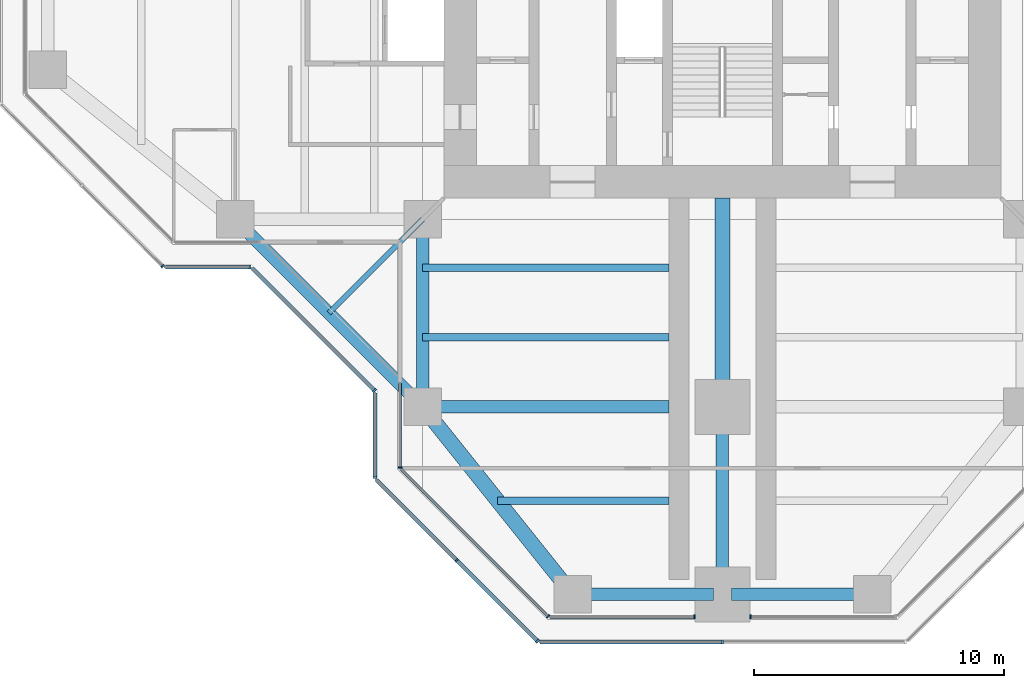
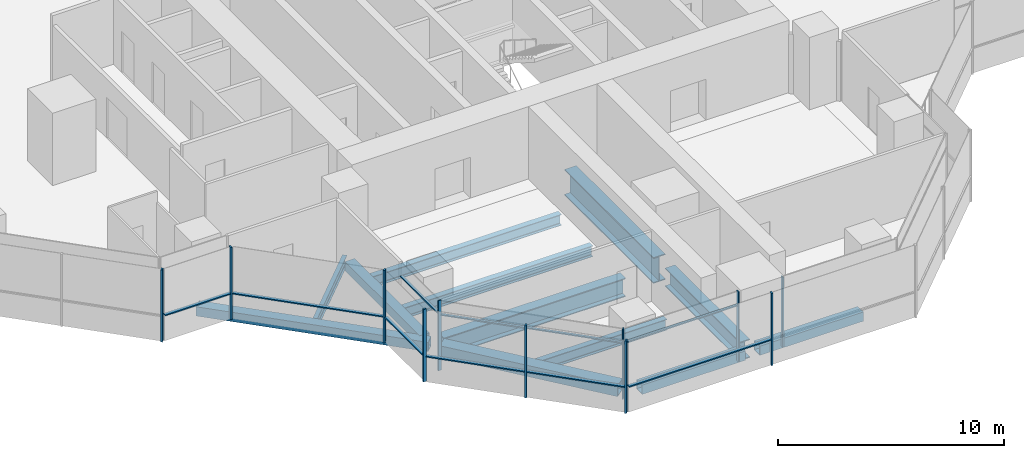
# One storey, part 2 of 17: 20 members, 12 beams, 10 elements without a shape of their own.
"""IFC4 building model written with IfcOpenShell, lengths in metres."""

from ifc_helpers import new_model, si_unit, direction, frame, origin, origin_2d, place, context, subcontext, project, spatial, rectangle, hollow_rectangle, i_section, extrude, material, material_profile, profile_set, type_object, element, aggregate, save


model = new_model("IFC4")

# Units and contexts
model_context = context("Model", 3, precision=1e-05, world=origin(), true_north=direction((0.0, 1.0)))
body_context = subcontext(model_context, "Body", "Model", "MODEL_VIEW")
ifc_project = project(units=[si_unit("LENGTHUNIT", "METRE"), si_unit("AREAUNIT", "SQUARE_METRE"), si_unit("VOLUMEUNIT", "CUBIC_METRE"), si_unit("PLANEANGLEUNIT", "RADIAN"), si_unit("MASSUNIT", "GRAM", prefix="KILO")], contexts=[model_context])

# Site, building, storey
site_placement = place(None, origin())
site = spatial("IfcSite", under=ifc_project, at=site_placement, CompositionType="ELEMENT")
building_placement = place(site_placement, origin())
building = spatial("IfcBuilding", under=site, at=building_placement, Name="Mizan Broadcast Tower", CompositionType="ELEMENT")
storey_placement = place(building_placement, frame((0.0, 0.0, 212.699951171875)))
storey = spatial("IfcBuildingStorey", under=building, at=storey_placement, Name="L49", CompositionType="ELEMENT", Elevation=212.699951171875)

# Beams
ifc_material_1 = material(Name="Steel S355", Category="steel")
ifc_material_profile_1 = material_profile(ifc_material_1, hollow_rectangle(XDim=0.5, YDim=0.5, WallThickness=0.030029296875, at=origin_2d()), Name="BOX 500x500x30")
ifc_profile_set_1 = profile_set([ifc_material_profile_1], Name="Steel S355")
beam_type_1 = type_object("IfcBeamType", Name="EDGE BEAM BOX 500x500x30", PredefinedType="SPANDREL", material=ifc_profile_set_1)
beam_1_placement = place(storey_placement, frame((-12.0, -12.449951171875, -0.3798828125), z_axis=(0.0, -1.0, 0.0), x_axis=(1.0, 0.0, 0.0)))
element("IfcBeam", 1, at=beam_1_placement, inside=storey, type_object=beam_type_1, Name="Edge beam BOX 500x500x30 L49 south arm", PredefinedType="SPANDREL", context=body_context, shape_type="SweptSolid", body=[
    extrude(hollow_rectangle(XDim=0.5, YDim=0.5, WallThickness=0.030029296875, at=origin_2d()), origin(), (0.0, 0.0, 1.0), 6.60009765625),
])
for number, where, z_axis, x_axis, name in (
    (2, (-5.639892578125, -27.0, -0.3798828125), (1.0, 0.0, 0.0), (0.0, 1.0, 0.0), "Edge beam BOX 500x500x30 L49 south arm"),
    (3, (5.639892578125, -27.0, -0.3798828125), (-1.0, 0.0, 0.0), (0.0, -1.0, 0.0), "Edge beam BOX 500x500x30 L49 south arm"),
):
    element("IfcBeam", number, at=place(storey_placement, frame(where, z_axis=z_axis, x_axis=x_axis)), inside=storey, type_object=beam_type_1, Name=name, PredefinedType="SPANDREL", context=body_context, shape_type="SweptSolid", body=[
        extrude(hollow_rectangle(XDim=0.5, YDim=0.5, WallThickness=0.030029296875, at=origin_2d()), origin(), (0.0, 0.0, 1.0), 5.27978515625),
    ])
beam_2_placement = place(storey_placement, frame((-19.5, -12.0, -0.3798828125), z_axis=(0.707106781187, -0.707106781187, 0.0), x_axis=(0.707106781187, 0.707106781187, 0.0)))
element("IfcBeam", 4, at=beam_2_placement, inside=storey, type_object=beam_type_1, Name="Winter garden edge beam L49 W", PredefinedType="SPANDREL", context=body_context, shape_type="SweptSolid", body=[
    extrude(hollow_rectangle(XDim=0.5, YDim=0.5, WallThickness=0.030029296875, at=origin_2d()), origin(), (0.0, 0.0, 1.0), 10.606689453125),
])
ifc_material_2 = material(Name="Steel S355", Category="steel")
ifc_material_profile_2 = material_profile(ifc_material_2, hollow_rectangle(XDim=0.60009765625, YDim=0.60009765625, WallThickness=0.030029296875, at=origin_2d()), Name="BOX 600x600x30")
ifc_profile_set_2 = profile_set([ifc_material_profile_2], Name="Steel S355")
beam_type_2 = type_object("IfcBeamType", Name="EDGE BEAM BOX 600x600x30", PredefinedType="SPANDREL", material=ifc_profile_set_2)
beam_3_placement = place(storey_placement, frame((-11.639892578125, -19.949951171875, -0.429931640625), z_axis=(0.624673911726, -0.780885717636, 0.0), x_axis=(0.780885717636, 0.624673911726, 0.0)))
element("IfcBeam", 5, at=beam_3_placement, inside=storey, type_object=beam_type_2, Name="Edge beam BOX 600x600x30 L49 south arm", PredefinedType="SPANDREL", context=body_context, shape_type="SweptSolid", body=[
    extrude(hollow_rectangle(XDim=0.60009765625, YDim=0.60009765625, WallThickness=0.030029296875, at=origin_2d()), origin(), (0.0, 0.0, 1.0), 8.4521484375),
])
ifc_material_3 = material(Name="Steel S460", Category="steel")
ifc_material_profile_3 = material_profile(ifc_material_3, i_section(OverallWidth=0.5, OverallDepth=1.0, WebThickness=0.02490234375, FlangeThickness=0.050048828125, at=origin_2d()), Name="WPG 1000x500")
ifc_profile_set_3 = profile_set([ifc_material_profile_3], Name="Steel S460")
beam_type_3 = type_object("IfcBeamType", Name="GIRDER WPG 1000x500", PredefinedType="BEAM", material=ifc_profile_set_3)
beam_4_placement = place(storey_placement, frame((0.0, -19.949951171875, -0.6298828125), z_axis=(0.0, -1.0, 0.0), x_axis=(1.0, 0.0, 0.0)))
element("IfcBeam", 6, at=beam_4_placement, inside=storey, type_object=beam_type_3, Name="Girder WPG 1000x500 L49 south arm", PredefinedType="BEAM", context=body_context, shape_type="SweptSolid", body=[
    extrude(i_section(OverallWidth=0.5, OverallDepth=1.0, WebThickness=0.02490234375, FlangeThickness=0.050048828125, at=origin_2d()), origin(), (0.0, 0.0, 1.0), 6.60009765625),
])
beam_5_placement = place(storey_placement, frame((-11.408935546875, -19.5, -0.6298828125), z_axis=(1.0, 0.0, 0.0), x_axis=(0.0, 1.0, 0.0)))
element("IfcBeam", 7, at=beam_5_placement, inside=storey, type_object=beam_type_3, Name="Girder WPG 1000x500 L49 south arm", PredefinedType="BEAM", context=body_context, shape_type="SweptSolid", body=[
    extrude(i_section(OverallWidth=0.5, OverallDepth=1.0, WebThickness=0.02490234375, FlangeThickness=0.050048828125, at=origin_2d()), origin(), (0.0, 0.0, 1.0), 9.259033203125),
])
ifc_material_4 = material(Name="Steel S460", Category="steel")
ifc_material_profile_4 = material_profile(ifc_material_4, i_section(OverallWidth=0.60009765625, OverallDepth=1.39990234375, WebThickness=0.02490234375, FlangeThickness=0.06005859375, at=origin_2d()), Name="WPG 1400x600")
ifc_profile_set_4 = profile_set([ifc_material_profile_4], Name="Steel S460")
beam_type_4 = type_object("IfcBeamType", Name="GIRDER WPG 1400x600", PredefinedType="BEAM", material=ifc_profile_set_4)
beam_6_placement = place(storey_placement, frame((0.0, -11.14990234375, -0.829833984375), z_axis=(0.0, -1.0, 0.0), x_axis=(1.0, 0.0, 0.0)))
element("IfcBeam", 8, at=beam_6_placement, inside=storey, type_object=beam_type_4, Name="Girder WPG 1400x600 L49 south arm", PredefinedType="BEAM", context=body_context, shape_type="SweptSolid", body=[
    extrude(i_section(OverallWidth=0.60009765625, OverallDepth=1.39990234375, WebThickness=0.02490234375, FlangeThickness=0.06005859375, at=origin_2d()), origin(), (0.0, 0.0, 1.0), 7.84912109375),
])

# Curtain wall, member
ifc_material_5 = material(Name="Aluminium framed glazing", Category="aluminium")
curtain_wall_type_1 = type_object("IfcCurtainWallType", Name="INNER SKIN HIGH ZONE", PredefinedType="USERDEFINED", material=ifc_material_5)
curtain_wall_1_placement = place(storey_placement, origin())
curtain_wall_1 = element("IfcCurtainWall", 9, at=curtain_wall_1_placement, inside=storey, type_object=curtain_wall_type_1, Name="Inner skin high zone L49 S side", ObjectType="INNER SKIN HIGH ZONE", PredefinedType="USERDEFINED")
ifc_material_6 = material(Name="Aluminium, pale anodised", Category="aluminium")
ifc_material_profile_5 = material_profile(ifc_material_6, rectangle(XDim=0.159912109375, YDim=0.06005859375, at=origin_2d()), Name="MULLION 160x60")
ifc_profile_set_5 = profile_set([ifc_material_profile_5], Name="Aluminium, pale anodised")
member_type_1 = type_object("IfcMemberType", Name="INNER SKIN MULLION 60x160", PredefinedType="MULLION", material=ifc_profile_set_5)
member_1_placement = place(storey_placement, frame((-12.89990234375, -21.928466796875, 0.0), z_axis=(0.0, 0.0, 1.0), x_axis=(1.0, 0.0, 0.0)))
member_1 = element("IfcMember", 10, at=member_1_placement, type_object=member_type_1, Name="Inner skin high zone L49 S side mullion 2", PredefinedType="MULLION", context=body_context, shape_type="SweptSolid", body=[
    extrude(rectangle(XDim=0.159912109375, YDim=0.06005859375, at=origin_2d()), origin(), (0.0, 0.0, 1.0), 3.77001953125),
])

curtain_wall_2_placement = place(storey_placement, origin())
curtain_wall_2 = element("IfcCurtainWall", 11, at=curtain_wall_2_placement, inside=storey, type_object=curtain_wall_type_1, Name="Inner skin high zone L49 S chamfer", ObjectType="INNER SKIN HIGH ZONE", PredefinedType="USERDEFINED")
member_2_placement = place(storey_placement, frame((-6.979736328125, -27.87890625, 0.0), z_axis=(0.0, 0.0, 1.0), x_axis=(0.707106781187, 0.707106781187, 0.0)))
member_2 = element("IfcMember", 12, at=member_2_placement, type_object=member_type_1, Name="Inner skin high zone L49 S chamfer mullion 2", PredefinedType="MULLION", context=body_context, shape_type="SweptSolid", body=[
    extrude(rectangle(XDim=0.159912109375, YDim=0.06005859375, at=origin_2d()), origin(), (0.0, 0.0, 1.0), 3.77001953125),
])

curtain_wall_3_placement = place(storey_placement, origin())
curtain_wall_3 = element("IfcCurtainWall", 13, at=curtain_wall_3_placement, inside=storey, type_object=curtain_wall_type_1, Name="Inner skin high zone L49 S end", ObjectType="INNER SKIN HIGH ZONE", PredefinedType="USERDEFINED")
member_3_placement = place(storey_placement, frame((-1.1298828125, -27.89990234375, 0.0), z_axis=(0.0, 0.0, 1.0), x_axis=(0.0, 1.0, 0.0)))
member_3 = element("IfcMember", 14, at=member_3_placement, type_object=member_type_1, Name="Inner skin high zone L49 S end mullion 2", PredefinedType="MULLION", context=body_context, shape_type="SweptSolid", body=[
    extrude(rectangle(XDim=0.159912109375, YDim=0.06005859375, at=origin_2d()), origin(), (0.0, 0.0, 1.0), 3.77001953125),
])

curtain_wall_4_placement = place(storey_placement, origin())
curtain_wall_4 = element("IfcCurtainWall", 15, at=curtain_wall_4_placement, inside=storey, type_object=curtain_wall_type_1, Name="Inner skin high zone L49 S end", ObjectType="INNER SKIN HIGH ZONE", PredefinedType="USERDEFINED")
member_4_placement = place(storey_placement, frame((1.1298828125, -27.89990234375, 0.0), z_axis=(0.0, 0.0, 1.0), x_axis=(0.0, 1.0, 0.0)))
member_4 = element("IfcMember", 16, at=member_4_placement, type_object=member_type_1, Name="Inner skin high zone L49 S end mullion 1", PredefinedType="MULLION", context=body_context, shape_type="SweptSolid", body=[
    extrude(rectangle(XDim=0.159912109375, YDim=0.06005859375, at=origin_2d()), origin(), (0.0, 0.0, 1.0), 3.77001953125),
])
aggregate(curtain_wall_4, [member_4])

# Member
ifc_material_7 = material(Name="Aluminium, pale anodised", Category="aluminium")
ifc_material_profile_6 = material_profile(ifc_material_7, rectangle(XDim=0.1201171875, YDim=0.06005859375, at=origin_2d()), Name="TRANSOM 120x60")
ifc_profile_set_6 = profile_set([ifc_material_profile_6], Name="Aluminium, pale anodised")
member_type_2 = type_object("IfcMemberType", Name="INNER SKIN TRANSOM 60x120", PredefinedType="USERDEFINED", material=ifc_profile_set_6)
member_5_placement = place(storey_placement, frame((-12.89990234375, -18.56005859375, 3.030029296875), z_axis=(0.0, -1.0, 0.0), x_axis=(1.0, 0.0, 0.0)))
member_5 = element("IfcMember", 17, at=member_5_placement, type_object=member_type_2, Name="Inner skin high zone L49 S side transom 1.1", ObjectType="TRANSOM", PredefinedType="USERDEFINED", context=body_context, shape_type="SweptSolid", body=[
    extrude(rectangle(XDim=0.1201171875, YDim=0.06005859375, at=origin_2d()), origin(), (0.0, 0.0, 1.0), 3.338623046875),
])

aggregate(curtain_wall_1, [member_1, member_5])

member_6_placement = place(storey_placement, frame((-12.857666015625, -22.0009765625, 3.030029296875), z_axis=(0.707106781187, -0.707106781187, 0.0), x_axis=(0.707106781187, 0.707106781187, 0.0)))
member_6 = element("IfcMember", 18, at=member_6_placement, type_object=member_type_2, Name="Inner skin high zone L49 S chamfer transom 1.1", ObjectType="TRANSOM", PredefinedType="USERDEFINED", context=body_context, shape_type="SweptSolid", body=[
    extrude(rectangle(XDim=0.1201171875, YDim=0.06005859375, at=origin_2d()), origin(), (0.0, 0.0, 1.0), 8.28271484375),
])

aggregate(curtain_wall_2, [member_2, member_6])

member_7_placement = place(storey_placement, frame((-6.898681640625, -27.89990234375, 3.030029296875), z_axis=(1.0, 0.0, 0.0), x_axis=(0.0, 1.0, 0.0)))
member_7 = element("IfcMember", 19, at=member_7_placement, type_object=member_type_2, Name="Inner skin high zone L49 S end transom 1.1", ObjectType="TRANSOM", PredefinedType="USERDEFINED", context=body_context, shape_type="SweptSolid", body=[
    extrude(rectangle(XDim=0.1201171875, YDim=0.06005859375, at=origin_2d()), origin(), (0.0, 0.0, 1.0), 5.73876953125),
])

aggregate(curtain_wall_3, [member_3, member_7])

# Curtain wall, member
ifc_material_8 = material(Name="Aluminium framed glazing", Category="aluminium")
curtain_wall_type_2 = type_object("IfcCurtainWallType", Name="OUTER SKIN", PredefinedType="USERDEFINED", material=ifc_material_8)
curtain_wall_5_placement = place(storey_placement, origin())
curtain_wall_5 = element("IfcCurtainWall", 20, at=curtain_wall_5_placement, inside=storey, type_object=curtain_wall_type_2, Name="Outer skin L49 W chamfer", ObjectType="OUTER SKIN", PredefinedType="USERDEFINED")
ifc_material_9 = material(Name="Aluminium, pale anodised", Category="aluminium")
ifc_material_profile_7 = material_profile(ifc_material_9, rectangle(XDim=0.159912109375, YDim=0.080078125, at=origin_2d()), Name="MULLION 160x80")
ifc_profile_set_7 = profile_set([ifc_material_profile_7], Name="Aluminium, pale anodised")
member_type_3 = type_object("IfcMemberType", Name="OUTER SKIN MULLION 80x160", PredefinedType="MULLION", material=ifc_profile_set_7)
member_8_placement = place(storey_placement, frame((-22.401123046875, -13.871826171875, 0.0), z_axis=(0.0, 0.0, 1.0), x_axis=(0.707106781187, 0.707106781187, 0.0)))
member_8 = element("IfcMember", 21, at=member_8_placement, type_object=member_type_3, Name="Outer skin L49 W chamfer mullion 3", PredefinedType="MULLION", context=body_context, shape_type="SweptSolid", body=[
    extrude(rectangle(XDim=0.159912109375, YDim=0.080078125, at=origin_2d()), origin(), (0.0, 0.0, 1.0), 3.900146484375),
])
aggregate(curtain_wall_5, [member_8])

curtain_wall_6_placement = place(storey_placement, origin())
curtain_wall_6 = element("IfcCurtainWall", 22, at=curtain_wall_6_placement, inside=storey, type_object=curtain_wall_type_2, Name="Outer skin L49 W side", ObjectType="OUTER SKIN", PredefinedType="USERDEFINED")
member_9_placement = place(storey_placement, frame((-18.912841796875, -13.89990234375, 0.0), z_axis=(0.0, 0.0, 1.0), x_axis=(0.0, 1.0, 0.0)))
member_9 = element("IfcMember", 23, at=member_9_placement, type_object=member_type_3, Name="Outer skin L49 W side mullion 2", PredefinedType="MULLION", context=body_context, shape_type="SweptSolid", body=[
    extrude(rectangle(XDim=0.159912109375, YDim=0.080078125, at=origin_2d()), origin(), (0.0, 0.0, 1.0), 3.900146484375),
])

curtain_wall_7_placement = place(storey_placement, origin())
curtain_wall_7 = element("IfcCurtainWall", 24, at=curtain_wall_7_placement, inside=storey, type_object=curtain_wall_type_2, Name="Outer skin L49 W chamfer", ObjectType="OUTER SKIN", PredefinedType="USERDEFINED")
member_10_placement = place(storey_placement, frame((-13.92822265625, -18.844482421875, 0.0), z_axis=(0.0, 0.0, 1.0), x_axis=(0.707106781187, 0.707106781187, 0.0)))
member_10 = element("IfcMember", 25, at=member_10_placement, type_object=member_type_3, Name="Outer skin L49 W chamfer mullion 2", PredefinedType="MULLION", context=body_context, shape_type="SweptSolid", body=[
    extrude(rectangle(XDim=0.159912109375, YDim=0.080078125, at=origin_2d()), origin(), (0.0, 0.0, 1.0), 3.900146484375),
])

curtain_wall_8_placement = place(storey_placement, origin())
curtain_wall_8 = element("IfcCurtainWall", 26, at=curtain_wall_8_placement, inside=storey, type_object=curtain_wall_type_2, Name="Outer skin L49 S side", ObjectType="OUTER SKIN", PredefinedType="USERDEFINED")
member_11_placement = place(storey_placement, frame((-13.89990234375, -22.332763671875, 0.0), z_axis=(0.0, 0.0, 1.0), x_axis=(1.0, 0.0, 0.0)))
member_11 = element("IfcMember", 27, at=member_11_placement, type_object=member_type_3, Name="Outer skin L49 S side mullion 2", PredefinedType="MULLION", context=body_context, shape_type="SweptSolid", body=[
    extrude(rectangle(XDim=0.159912109375, YDim=0.080078125, at=origin_2d()), origin(), (0.0, 0.0, 1.0), 3.900146484375),
])

# Curtain wall, members
curtain_wall_9_placement = place(storey_placement, origin())
curtain_wall_9 = element("IfcCurtainWall", 28, at=curtain_wall_9_placement, inside=storey, type_object=curtain_wall_type_2, Name="Outer skin L49 S chamfer", ObjectType="OUTER SKIN", PredefinedType="USERDEFINED")
member_12_placement = place(storey_placement, frame((-10.636474609375, -25.636474609375, 0.0), z_axis=(0.0, 0.0, 1.0), x_axis=(0.707106781187, 0.707106781187, 0.0)))
member_12 = element("IfcMember", 29, at=member_12_placement, type_object=member_type_3, Name="Outer skin L49 S chamfer mullion 2", PredefinedType="MULLION", context=body_context, shape_type="SweptSolid", body=[
    extrude(rectangle(XDim=0.159912109375, YDim=0.080078125, at=origin_2d()), origin(), (0.0, 0.0, 1.0), 3.900146484375),
])
member_13_placement = place(storey_placement, frame((-7.401123046875, -28.871826171875, 0.0), z_axis=(0.0, 0.0, 1.0), x_axis=(0.707106781187, 0.707106781187, 0.0)))
member_13 = element("IfcMember", 30, at=member_13_placement, type_object=member_type_3, Name="Outer skin L49 S chamfer mullion 3", PredefinedType="MULLION", context=body_context, shape_type="SweptSolid", body=[
    extrude(rectangle(XDim=0.159912109375, YDim=0.080078125, at=origin_2d()), origin(), (0.0, 0.0, 1.0), 3.900146484375),
])

# Curtain wall, member
curtain_wall_10_placement = place(storey_placement, origin())
curtain_wall_10 = element("IfcCurtainWall", 31, at=curtain_wall_10_placement, inside=storey, type_object=curtain_wall_type_2, Name="Outer skin L49 S end", ObjectType="OUTER SKIN", PredefinedType="USERDEFINED")
member_14_placement = place(storey_placement, frame((0.0, -28.89990234375, 0.0), z_axis=(0.0, 0.0, 1.0), x_axis=(0.0, 1.0, 0.0)))
member_14 = element("IfcMember", 32, at=member_14_placement, type_object=member_type_3, Name="Outer skin L49 S end mullion 2", PredefinedType="MULLION", context=body_context, shape_type="SweptSolid", body=[
    extrude(rectangle(XDim=0.159912109375, YDim=0.080078125, at=origin_2d()), origin(), (0.0, 0.0, 1.0), 3.900146484375),
])

# Member
ifc_material_10 = material(Name="Aluminium, pale anodised", Category="aluminium")
ifc_material_profile_8 = material_profile(ifc_material_10, rectangle(XDim=0.159912109375, YDim=0.06005859375, at=origin_2d()), Name="TRANSOM 160x60")
ifc_profile_set_8 = profile_set([ifc_material_profile_8], Name="Aluminium, pale anodised")
member_type_4 = type_object("IfcMemberType", Name="OUTER SKIN TRANSOM 60x160", PredefinedType="USERDEFINED", material=ifc_profile_set_8)
member_15_placement = place(storey_placement, frame((-22.292724609375, -13.89990234375, 1.400146484375), z_axis=(1.0, 0.0, 0.0), x_axis=(0.0, 1.0, 0.0)))
member_15 = element("IfcMember", 33, at=member_15_placement, type_object=member_type_4, Name="Outer skin L49 W side transom 1.1", ObjectType="TRANSOM", PredefinedType="USERDEFINED", context=body_context, shape_type="SweptSolid", body=[
    extrude(rectangle(XDim=0.159912109375, YDim=0.06005859375, at=origin_2d()), origin(), (0.0, 0.0, 1.0), 3.33984375),
])

aggregate(curtain_wall_6, [member_9, member_15])

member_16_placement = place(storey_placement, frame((-18.816162109375, -13.95654296875, 1.400146484375), z_axis=(0.707106781187, -0.707106781187, 0.0), x_axis=(0.707106781187, 0.707106781187, 0.0)))
member_16 = element("IfcMember", 34, at=member_16_placement, type_object=member_type_4, Name="Outer skin L49 W chamfer transom 1.1", ObjectType="TRANSOM", PredefinedType="USERDEFINED", context=body_context, shape_type="SweptSolid", body=[
    extrude(rectangle(XDim=0.159912109375, YDim=0.06005859375, at=origin_2d()), origin(), (0.0, 0.0, 1.0), 6.87255859375),
])

aggregate(curtain_wall_7, [member_10, member_16])

member_17_placement = place(storey_placement, frame((-13.89990234375, -18.952880859375, 1.400146484375), z_axis=(0.0, -1.0, 0.0), x_axis=(1.0, 0.0, 0.0)))
member_17 = element("IfcMember", 35, at=member_17_placement, type_object=member_type_4, Name="Outer skin L49 S side transom 1.1", ObjectType="TRANSOM", PredefinedType="USERDEFINED", context=body_context, shape_type="SweptSolid", body=[
    extrude(rectangle(XDim=0.159912109375, YDim=0.06005859375, at=origin_2d()), origin(), (0.0, 0.0, 1.0), 3.33984375),
])

aggregate(curtain_wall_8, [member_11, member_17])

member_18_placement = place(storey_placement, frame((-13.843505859375, -22.429443359375, 1.400146484375), z_axis=(0.707106781187, -0.707106781187, 0.0), x_axis=(0.707106781187, 0.707106781187, 0.0)))
member_18 = element("IfcMember", 36, at=member_18_placement, type_object=member_type_4, Name="Outer skin L49 S chamfer transom 1.1", ObjectType="TRANSOM", PredefinedType="USERDEFINED", context=body_context, shape_type="SweptSolid", body=[
    extrude(rectangle(XDim=0.159912109375, YDim=0.06005859375, at=origin_2d()), origin(), (0.0, 0.0, 1.0), 4.495361328125),
])

member_19_placement = place(storey_placement, frame((-10.608154296875, -25.664794921875, 1.400146484375), z_axis=(0.707106781187, -0.707106781187, 0.0), x_axis=(0.707106781187, 0.707106781187, 0.0)))
member_19 = element("IfcMember", 37, at=member_19_placement, type_object=member_type_4, Name="Outer skin L49 S chamfer transom 2.1", ObjectType="TRANSOM", PredefinedType="USERDEFINED", context=body_context, shape_type="SweptSolid", body=[
    extrude(rectangle(XDim=0.159912109375, YDim=0.06005859375, at=origin_2d()), origin(), (0.0, 0.0, 1.0), 4.495361328125),
])

aggregate(curtain_wall_9, [member_12, member_13, member_18, member_19])

member_20_placement = place(storey_placement, frame((-7.292724609375, -28.89990234375, 1.400146484375), z_axis=(1.0, 0.0, 0.0), x_axis=(0.0, 1.0, 0.0)))
member_20 = element("IfcMember", 38, at=member_20_placement, type_object=member_type_4, Name="Outer skin L49 S end transom 1.1", ObjectType="TRANSOM", PredefinedType="USERDEFINED", context=body_context, shape_type="SweptSolid", body=[
    extrude(rectangle(XDim=0.159912109375, YDim=0.06005859375, at=origin_2d()), origin(), (0.0, 0.0, 1.0), 7.252685546875),
])

aggregate(curtain_wall_10, [member_14, member_20])

# Beams
ifc_material_11 = material(Name="Steel S355", Category="steel")
ifc_material_profile_9 = material_profile(ifc_material_11, i_section(OverallWidth=0.300048828125, OverallDepth=0.590087890625, WebThickness=0.012939453125, FlangeThickness=0.02490234375, FilletRadius=0.027099609375, at=origin_2d()), Name="HEA 600")
ifc_profile_set_9 = profile_set([ifc_material_profile_9], Name="Steel S355")
beam_type_5 = type_object("IfcBeamType", Name="SECONDARY BEAM HEA 600", PredefinedType="JOIST", material=ifc_profile_set_9)
for number, where, z_axis, x_axis, name in (
    (39, (-12.0, -13.933349609375, -0.425048828125), (1.0, 0.0, 0.0), (0.0, 1.0, 0.0), "Secondary beam HEA 600 L49 south arm"),
    (40, (-12.0, -16.716552734375, -0.425048828125), (1.0, 0.0, 0.0), (0.0, 1.0, 0.0), "Secondary beam HEA 600 L49 south arm"),
):
    element("IfcBeam", number, at=place(storey_placement, frame(where, z_axis=z_axis, x_axis=x_axis)), inside=storey, type_object=beam_type_5, Name=name, PredefinedType="JOIST", context=body_context, shape_type="SweptSolid", body=[
        extrude(i_section(OverallWidth=0.300048828125, OverallDepth=0.590087890625, WebThickness=0.012939453125, FlangeThickness=0.02490234375, FilletRadius=0.027099609375, at=origin_2d()), origin(), (0.0, 0.0, 1.0), 9.85009765625),
    ])
beam_7_placement = place(storey_placement, frame((-9.0, -23.25, -0.425048828125), z_axis=(1.0, 0.0, 0.0), x_axis=(0.0, 1.0, 0.0)))
element("IfcBeam", 41, at=beam_7_placement, inside=storey, type_object=beam_type_5, Name="Secondary beam HEA 600 L49 south arm", PredefinedType="JOIST", context=body_context, shape_type="SweptSolid", body=[
    extrude(i_section(OverallWidth=0.300048828125, OverallDepth=0.590087890625, WebThickness=0.012939453125, FlangeThickness=0.02490234375, FilletRadius=0.027099609375, at=origin_2d()), origin(), (0.0, 0.0, 1.0), 6.85009765625),
])
ifc_material_12 = material(Name="Steel S355", Category="steel")
ifc_material_profile_10 = material_profile(ifc_material_12, i_section(OverallWidth=0.2099609375, OverallDepth=0.550048828125, WebThickness=0.010986328125, FlangeThickness=0.01708984375, FilletRadius=0.02392578125, at=origin_2d()), Name="IPE 550")
ifc_profile_set_10 = profile_set([ifc_material_profile_10], Name="Steel S355")
beam_type_6 = type_object("IfcBeamType", Name="SECONDARY BEAM IPE 550", PredefinedType="JOIST", material=ifc_profile_set_10)
beam_8_placement = place(storey_placement, frame((-12.0, -12.0, -0.405029296875), z_axis=(-0.707106781187, -0.707106781187, 0.0), x_axis=(0.707106781187, -0.707106781187, 0.0)))
element("IfcBeam", 42, at=beam_8_placement, inside=storey, type_object=beam_type_6, Name="Winter garden beam L49 W", PredefinedType="JOIST", context=body_context, shape_type="SweptSolid", body=[
    extrude(i_section(OverallWidth=0.2099609375, OverallDepth=0.550048828125, WebThickness=0.010986328125, FlangeThickness=0.01708984375, FilletRadius=0.02392578125, at=origin_2d()), origin(), (0.0, 0.0, 1.0), 5.30322265625),
])

save(model, "model.ifc")
